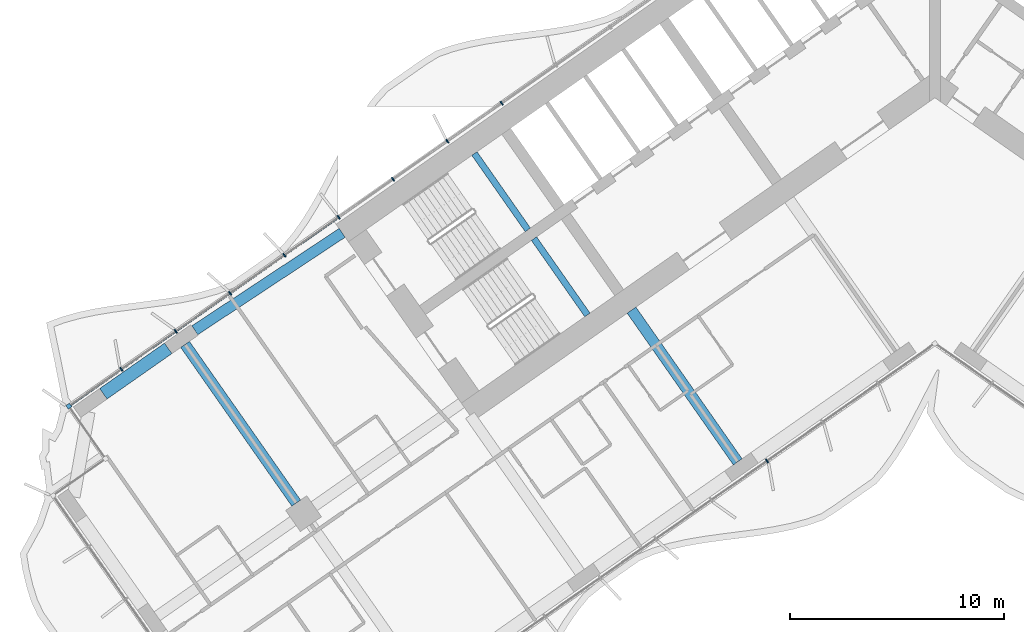
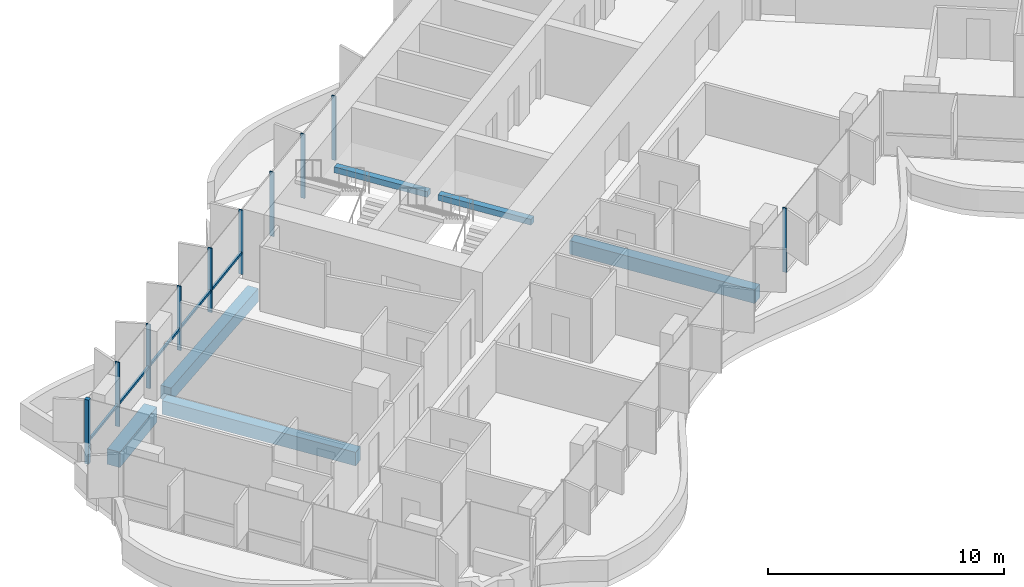
# One storey, part 4 of 23: 11 members, 6 beams, 2 elements without a shape of their own.
"""IFC4 building model written with IfcOpenShell, lengths in metres."""

from ifc_helpers import new_model, si_unit, direction, frame, origin, origin_2d, place, context, subcontext, project, spatial, rectangle, extrude, material, material_profile, profile_set, type_object, element, aggregate, save


model = new_model("IFC4")

# Units and contexts
model_context = context("Model", 3, precision=1e-05, world=origin(), true_north=direction((0.0, 1.0)))
body_context = subcontext(model_context, "Body", "Model", "MODEL_VIEW")
ifc_project = project(units=[si_unit("LENGTHUNIT", "METRE"), si_unit("AREAUNIT", "SQUARE_METRE"), si_unit("VOLUMEUNIT", "CUBIC_METRE"), si_unit("PLANEANGLEUNIT", "RADIAN"), si_unit("MASSUNIT", "GRAM", prefix="KILO")], contexts=[model_context])

# Site, building, storey
site_placement = place(None, origin())
site = spatial("IfcSite", under=ifc_project, at=site_placement, CompositionType="ELEMENT")
building_placement = place(site_placement, origin())
building = spatial("IfcBuilding", under=site, at=building_placement, Name="Tel Ilan Convention Tower", CompositionType="ELEMENT")
storey_placement = place(building_placement, frame((0.0, 0.0, 101.300048828125)))
storey = spatial("IfcBuildingStorey", under=building, at=storey_placement, Name="L21", CompositionType="ELEMENT", Elevation=101.300048828125)

# Beams
ifc_material_1 = material(Name="Concrete C40/50", Category="concrete")
ifc_material_profile_1 = material_profile(ifc_material_1, rectangle(XDim=0.5, YDim=0.699951171875, at=origin_2d()), Name="RC 500x700")
ifc_profile_set_1 = profile_set([ifc_material_profile_1], Name="Concrete C40/50")
beam_type_1 = type_object("IfcBeamType", Name="Beam RC 500x700 Concrete C40/50", PredefinedType="BEAM", material=ifc_profile_set_1)
beam_1_placement = place(storey_placement, frame((-34.570556640625, -12.08447265625, -0.630126953125), z_axis=(0.834273603487, 0.551350663847, 0.0), x_axis=(-0.551350663847, 0.834273603487, 0.0)))
element("IfcBeam", 1, at=beam_1_placement, inside=storey, type_object=beam_type_1, Name="L21 beam W-W-B4-core", PredefinedType="BEAM", context=body_context, shape_type="SweptSolid", body=[
    extrude(rectangle(XDim=0.5, YDim=0.699951171875, at=origin_2d()), origin(), (0.0, 0.0, 1.0), 8.2529296875),
])
beam_2_placement = place(storey_placement, frame((-9.209716796875, -18.229248046875, -0.630126953125), z_axis=(-0.573574099654, 0.819153680457, 0.0), x_axis=(-0.819153680457, -0.573574099654, 0.0)))
element("IfcBeam", 2, at=beam_2_placement, inside=storey, type_object=beam_type_1, Name="L21 beam W-W-F2-core", PredefinedType="BEAM", context=body_context, shape_type="SweptSolid", body=[
    extrude(rectangle(XDim=0.5, YDim=0.699951171875, at=origin_2d()), origin(), (0.0, 0.0, 1.0), 8.64990234375),
])
beam_3_placement = place(storey_placement, frame((-29.83349609375, -20.1572265625, -0.630126953125), z_axis=(-0.57358002233, 0.819149533348, 0.0), x_axis=(-0.819149533348, -0.57358002233, 0.0)))
element("IfcBeam", 3, at=beam_3_placement, inside=storey, type_object=beam_type_1, Name="L21 beam W-W-M4-W-B4", PredefinedType="BEAM", context=body_context, shape_type="SweptSolid", body=[
    extrude(rectangle(XDim=0.5, YDim=0.699951171875, at=origin_2d()), origin(), (0.0, 0.0, 1.0), 9.050048828125),
])
ifc_material_2 = material(Name="Concrete C40/50", Category="concrete")
ifc_material_profile_2 = material_profile(ifc_material_2, rectangle(XDim=0.60009765625, YDim=0.800048828125, at=origin_2d()), Name="RC 600x800")
ifc_profile_set_2 = profile_set([ifc_material_profile_2], Name="Concrete C40/50")
beam_type_2 = type_object("IfcBeamType", Name="Beam RC 600x800 Concrete C40/50", PredefinedType="BEAM", material=ifc_profile_set_2)
beam_4_placement = place(storey_placement, frame((-38.841796875, -15.050537109375, -0.679931640625), z_axis=(0.819185419371, 0.573528768842, 0.0), x_axis=(-0.573528768842, 0.819185419371, 0.0)))
element("IfcBeam", 4, at=beam_4_placement, inside=storey, type_object=beam_type_2, Name="L21 beam W-W-BC-W-B4", PredefinedType="BEAM", context=body_context, shape_type="SweptSolid", body=[
    extrude(rectangle(XDim=0.60009765625, YDim=0.800048828125, at=origin_2d()), origin(), (0.0, 0.0, 1.0), 3.699951171875),
])

# Curtain wall, member
ifc_material_3 = material(Name="Aluminium, bronze anodised", Category="aluminium")
curtain_wall_type_1 = type_object("IfcCurtainWallType", Name="CW1 UNITISED CURTAIN WALL, HOTEL TINTED GLASS", PredefinedType="NOTDEFINED", material=ifc_material_3)
curtain_wall_1_placement = place(storey_placement, origin())
curtain_wall_1 = element("IfcCurtainWall", 5, at=curtain_wall_1_placement, inside=storey, type_object=curtain_wall_type_1, Name="Curtain wall CW1-19.02", PredefinedType="NOTDEFINED")
ifc_material_4 = material(Name="Aluminium, bronze anodised", Category="aluminium")
ifc_material_profile_3 = material_profile(ifc_material_4, rectangle(XDim=0.199951171875, YDim=0.199951171875, at=origin_2d()), Name="CW CORNER MULLION 200x200")
ifc_profile_set_3 = profile_set([ifc_material_profile_3], Name="Aluminium, bronze anodised")
member_type_1 = type_object("IfcMemberType", Name="CW CORNER MULLION 200x200", PredefinedType="MULLION", material=ifc_profile_set_3)
member_1_placement = place(storey_placement, frame((-40.451416015625, -15.62841796875, 0.0), z_axis=(0.0, 0.0, 1.0), x_axis=(-0.819152044289, -0.573576436351, 0.0)))
member_1 = element("IfcMember", 6, at=member_1_placement, type_object=member_type_1, Name="Corner mullion", PredefinedType="MULLION", context=body_context, shape_type="SweptSolid", body=[
    extrude(rectangle(XDim=0.199951171875, YDim=0.199951171875, at=origin_2d()), origin(), (0.0, 0.0, 1.0), 3.320068359375),
])

# Curtain wall, members
ifc_material_5 = material(Name="Aluminium, bronze anodised", Category="aluminium")
curtain_wall_type_2 = type_object("IfcCurtainWallType", Name="CW2 STICK CURTAIN WALL, SPANDREL PANELS", PredefinedType="NOTDEFINED", material=ifc_material_5)
curtain_wall_2_placement = place(storey_placement, origin())
curtain_wall_2 = element("IfcCurtainWall", 7, at=curtain_wall_2_placement, inside=storey, type_object=curtain_wall_type_2, Name="Curtain wall CW2-19.01", PredefinedType="NOTDEFINED")
ifc_material_6 = material(Name="Aluminium, bronze anodised", Category="aluminium")
ifc_material_profile_4 = material_profile(ifc_material_6, rectangle(XDim=0.06005859375, YDim=0.199951171875, at=origin_2d()), Name="CW MULLION 60x200")
ifc_profile_set_4 = profile_set([ifc_material_profile_4], Name="Aluminium, bronze anodised")
member_type_2 = type_object("IfcMemberType", Name="CW MULLION 60x200", PredefinedType="MULLION", material=ifc_profile_set_4)
member_2_placement = place(storey_placement, frame((-20.238037109375, -1.474853515625, 0.0), z_axis=(0.0, 0.0, 1.0), x_axis=(-0.819152044289, -0.573576436351, 0.0)))
member_2 = element("IfcMember", 8, at=member_2_placement, type_object=member_type_2, Name="Mullion", PredefinedType="MULLION", context=body_context, shape_type="SweptSolid", body=[
    extrude(rectangle(XDim=0.06005859375, YDim=0.199951171875, at=origin_2d()), origin(), (0.0, 0.0, 1.0), 3.320068359375),
])
member_3_placement = place(storey_placement, frame((-22.77490234375, -3.251220703125, 0.0), z_axis=(0.0, 0.0, 1.0), x_axis=(-0.819152044289, -0.573576436351, 0.0)))
member_3 = element("IfcMember", 9, at=member_3_placement, type_object=member_type_2, Name="Mullion", PredefinedType="MULLION", context=body_context, shape_type="SweptSolid", body=[
    extrude(rectangle(XDim=0.06005859375, YDim=0.199951171875, at=origin_2d()), origin(), (0.0, 0.0, 1.0), 3.320068359375),
])
member_4_placement = place(storey_placement, frame((-25.311767578125, -5.027587890625, 0.0), z_axis=(0.0, 0.0, 1.0), x_axis=(-0.819152044289, -0.573576436351, 0.0)))
member_4 = element("IfcMember", 10, at=member_4_placement, type_object=member_type_2, Name="Mullion", PredefinedType="MULLION", context=body_context, shape_type="SweptSolid", body=[
    extrude(rectangle(XDim=0.06005859375, YDim=0.199951171875, at=origin_2d()), origin(), (0.0, 0.0, 1.0), 3.320068359375),
])
member_5_placement = place(storey_placement, frame((-27.848876953125, -6.803955078125, 0.0), z_axis=(0.0, 0.0, 1.0), x_axis=(-0.819152044289, -0.573576436351, 0.0)))
member_5 = element("IfcMember", 11, at=member_5_placement, type_object=member_type_2, Name="Mullion", PredefinedType="MULLION", context=body_context, shape_type="SweptSolid", body=[
    extrude(rectangle(XDim=0.06005859375, YDim=0.199951171875, at=origin_2d()), origin(), (0.0, 0.0, 1.0), 3.320068359375),
])
aggregate(curtain_wall_2, [member_2, member_3, member_4, member_5])

# Member
member_6_placement = place(storey_placement, frame((-30.3857421875, -8.580322265625, 0.0), z_axis=(0.0, 0.0, 1.0), x_axis=(-0.819152044289, -0.573576436351, 0.0)))
member_6 = element("IfcMember", 12, at=member_6_placement, type_object=member_type_2, Name="Mullion", PredefinedType="MULLION", context=body_context, shape_type="SweptSolid", body=[
    extrude(rectangle(XDim=0.06005859375, YDim=0.199951171875, at=origin_2d()), origin(), (0.0, 0.0, 1.0), 3.320068359375),
])

member_7_placement = place(storey_placement, frame((-32.922607421875, -10.356689453125, 0.0), z_axis=(0.0, 0.0, 1.0), x_axis=(-0.819152044289, -0.573576436351, 0.0)))
member_7 = element("IfcMember", 13, at=member_7_placement, type_object=member_type_2, Name="Mullion", PredefinedType="MULLION", context=body_context, shape_type="SweptSolid", body=[
    extrude(rectangle(XDim=0.06005859375, YDim=0.199951171875, at=origin_2d()), origin(), (0.0, 0.0, 1.0), 3.320068359375),
])

member_8_placement = place(storey_placement, frame((-35.45947265625, -12.133056640625, 0.0), z_axis=(0.0, 0.0, 1.0), x_axis=(-0.819152044289, -0.573576436351, 0.0)))
member_8 = element("IfcMember", 14, at=member_8_placement, type_object=member_type_2, Name="Mullion", PredefinedType="MULLION", context=body_context, shape_type="SweptSolid", body=[
    extrude(rectangle(XDim=0.06005859375, YDim=0.199951171875, at=origin_2d()), origin(), (0.0, 0.0, 1.0), 3.320068359375),
])

member_9_placement = place(storey_placement, frame((-37.99658203125, -13.909423828125, 0.0), z_axis=(0.0, 0.0, 1.0), x_axis=(-0.819152044289, -0.573576436351, 0.0)))
member_9 = element("IfcMember", 15, at=member_9_placement, type_object=member_type_2, Name="Mullion", PredefinedType="MULLION", context=body_context, shape_type="SweptSolid", body=[
    extrude(rectangle(XDim=0.06005859375, YDim=0.199951171875, at=origin_2d()), origin(), (0.0, 0.0, 1.0), 3.320068359375),
])

member_10_placement = place(storey_placement, frame((-7.842529296875, -18.1875, 0.0), z_axis=(0.0, 0.0, 1.0), x_axis=(0.819152044289, 0.573576436351, 0.0)))
member_10 = element("IfcMember", 16, at=member_10_placement, type_object=member_type_2, Name="Mullion", PredefinedType="MULLION", context=body_context, shape_type="SweptSolid", body=[
    extrude(rectangle(XDim=0.06005859375, YDim=0.199951171875, at=origin_2d()), origin(), (0.0, 0.0, 1.0), 3.320068359375),
])

ifc_material_7 = material(Name="Aluminium, bronze anodised", Category="aluminium")
ifc_material_profile_5 = material_profile(ifc_material_7, rectangle(XDim=0.10009765625, YDim=0.1201171875, at=origin_2d()), Name="CW TRANSOM 100x120")
ifc_profile_set_5 = profile_set([ifc_material_profile_5], Name="Aluminium, bronze anodised")
member_type_3 = type_object("IfcMemberType", Name="CW TRANSOM 100x120", PredefinedType="USERDEFINED", material=ifc_profile_set_5)
member_11_placement = place(storey_placement, frame((-27.873291015625, -6.821044921875, 1.099853515625), z_axis=(-0.819152967985, -0.573575117174, 0.0), x_axis=(0.573575117174, -0.819152967985, 0.0)))
member_11 = element("IfcMember", 17, at=member_11_placement, type_object=member_type_3, Name="Transom", ObjectType="TRANSOM", PredefinedType="USERDEFINED", context=body_context, shape_type="SweptSolid", body=[
    extrude(rectangle(XDim=0.10009765625, YDim=0.1201171875, at=origin_2d()), origin(), (0.0, 0.0, 1.0), 15.255126953125),
])

aggregate(curtain_wall_1, [member_6, member_7, member_8, member_9, member_1, member_11, member_10])

# Beams
ifc_material_8 = material(Name="Concrete C40/50", Category="concrete")
ifc_material_profile_6 = material_profile(ifc_material_8, rectangle(XDim=0.300048828125, YDim=0.300048828125, at=origin_2d()), Name="RC 300x300")
ifc_profile_set_6 = profile_set([ifc_material_profile_6], Name="Concrete C40/50")
beam_type_3 = type_object("IfcBeamType", Name="Landing Beam RC 300x300 Concrete C40/50", PredefinedType="BEAM", material=ifc_profile_set_6)
beam_5_placement = place(storey_placement, frame((-19.013671875, -7.392822265625, 1.449951171875), z_axis=(-0.57356780395, 0.819158088694, 0.0), x_axis=(-0.819158088694, -0.57356780395, 0.0)))
element("IfcBeam", 18, at=beam_5_placement, inside=storey, type_object=beam_type_3, Name="S1 landing beam L21.1", PredefinedType="BEAM", context=body_context, shape_type="SweptSolid", body=[
    extrude(rectangle(XDim=0.300048828125, YDim=0.300048828125, at=origin_2d()), origin(), (0.0, 0.0, 1.0), 4.35009765625),
])
beam_6_placement = place(storey_placement, frame((-16.231689453125, -11.365478515625, 1.449951171875), z_axis=(-0.573594173421, 0.819139624372, 0.0), x_axis=(-0.819139624372, -0.573594173421, 0.0)))
element("IfcBeam", 19, at=beam_6_placement, inside=storey, type_object=beam_type_3, Name="S2 landing beam L21.1", PredefinedType="BEAM", context=body_context, shape_type="SweptSolid", body=[
    extrude(rectangle(XDim=0.300048828125, YDim=0.300048828125, at=origin_2d()), origin(), (0.0, 0.0, 1.0), 4.349853515625),
])

save(model, "model.ifc")
